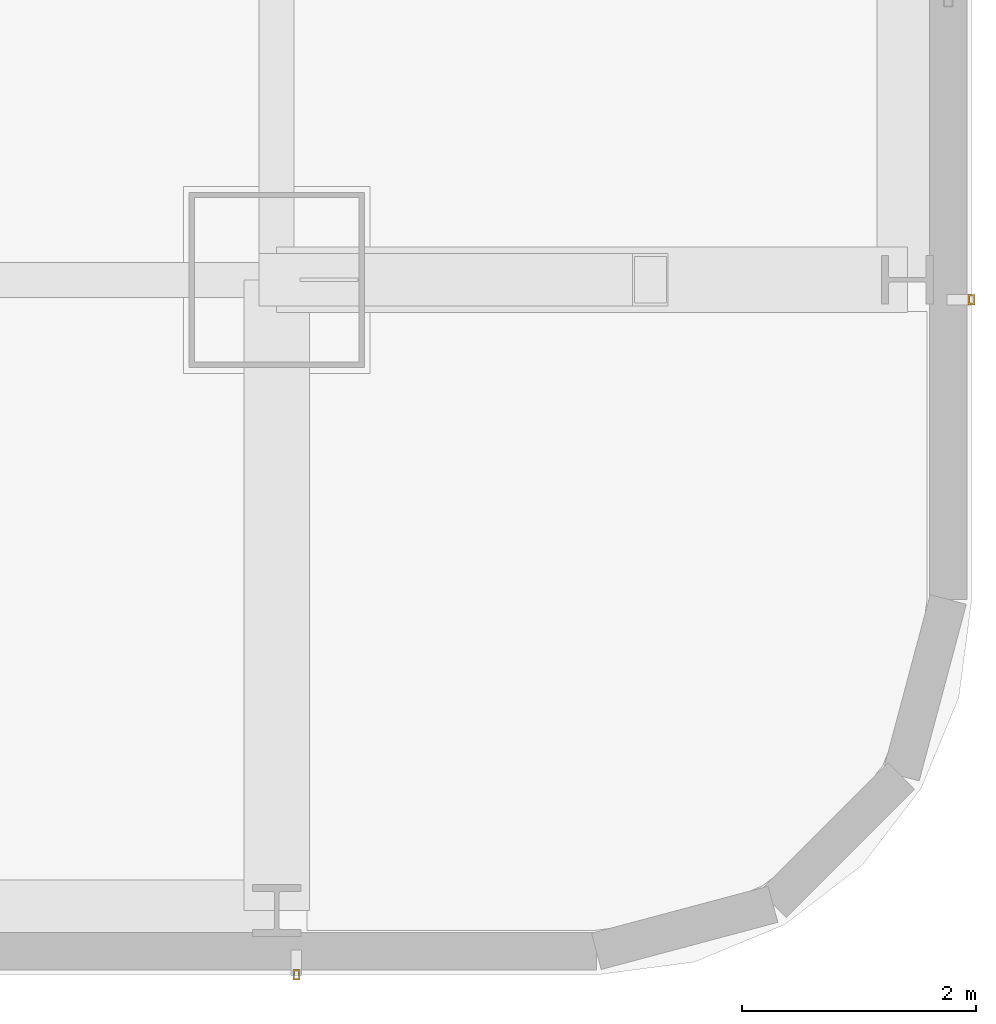
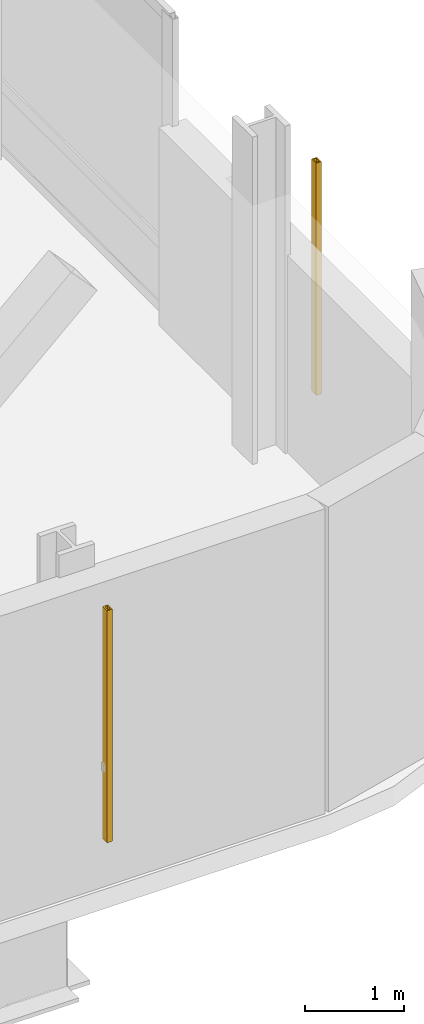
# One storey, part 38 of 42: 2 shading devices.
"""IFC4 building model written with IfcOpenShell, lengths in metres."""

from ifc_helpers import new_model, si_unit, direction, frame, origin, origin_2d, place, context, subcontext, project, spatial, hollow_rectangle, extrude, material, material_profile, profile_set, type_object, element, save


model = new_model("IFC4")

# Units and contexts
model_context = context("Model", 3, precision=1e-05, world=origin(), true_north=direction((0.0, 1.0)))
body_context = subcontext(model_context, "Body", "Model", "MODEL_VIEW")
ifc_project = project(units=[si_unit("LENGTHUNIT", "METRE"), si_unit("AREAUNIT", "SQUARE_METRE"), si_unit("VOLUMEUNIT", "CUBIC_METRE"), si_unit("PLANEANGLEUNIT", "RADIAN"), si_unit("MASSUNIT", "GRAM", prefix="KILO")], contexts=[model_context])

# Site, building, storey
site_placement = place(None, origin())
site = spatial("IfcSite", under=ifc_project, at=site_placement, CompositionType="ELEMENT")
building_placement = place(site_placement, origin())
building = spatial("IfcBuilding", under=site, at=building_placement, Name="Punatoya Terracotta Tower", CompositionType="ELEMENT")
storey_placement = place(building_placement, frame((0.0, 0.0, 88.949951171875)))
storey = spatial("IfcBuildingStorey", under=building, at=storey_placement, Name="L20", CompositionType="ELEMENT", Elevation=88.949951171875)

# Shading devices
ifc_material = material(Name="Architectural Fired Terracotta", Category="masonry")
ifc_material_profile = material_profile(ifc_material, hollow_rectangle(XDim=0.06005859375, YDim=0.090087890625, WallThickness=0.013916015625, at=origin_2d()))
ifc_profile_set = profile_set([ifc_material_profile], Name="Architectural Fired Terracotta")
shading_device_type = type_object("IfcShadingDeviceType", Name="SHD-JALI-90", PredefinedType="JALOUSIE", material=ifc_profile_set)
for number, where, z_axis, x_axis, name in (
    (1, (19.2685546875, -23.449951171875, 0.60009765625), (0.0, 0.0, 1.0), (1.0, 0.0, 0.0), "L20 Braced Bay Terracotta Jali Fin S2"),
    (2, (25.050048828125, -17.66845703125, 0.60009765625), (0.0, 0.0, 1.0), (1.0, 0.0, 0.0), "L20 Braced Bay Terracotta Jali Fin E1"),
):
    element("IfcShadingDevice", number, at=place(storey_placement, frame(where, z_axis=z_axis, x_axis=x_axis)), inside=storey, type_object=shading_device_type, Name=name, PredefinedType="JALOUSIE", context=body_context, shape_type="SweptSolid", body=[
        extrude(hollow_rectangle(XDim=0.06005859375, YDim=0.090087890625, WallThickness=0.013916015625, at=origin_2d()), origin(), (0.0, 0.0, 1.0), 2.869873046875),
    ])

save(model, "model.ifc")
